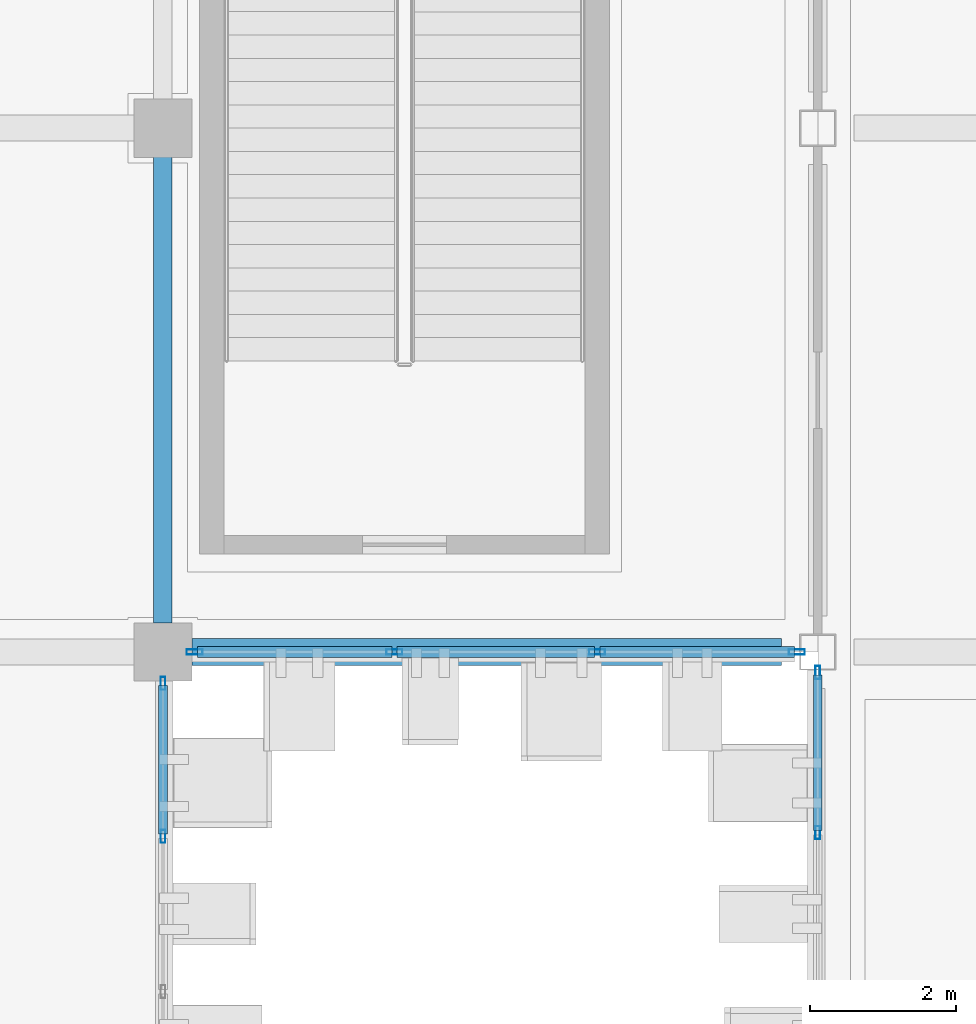
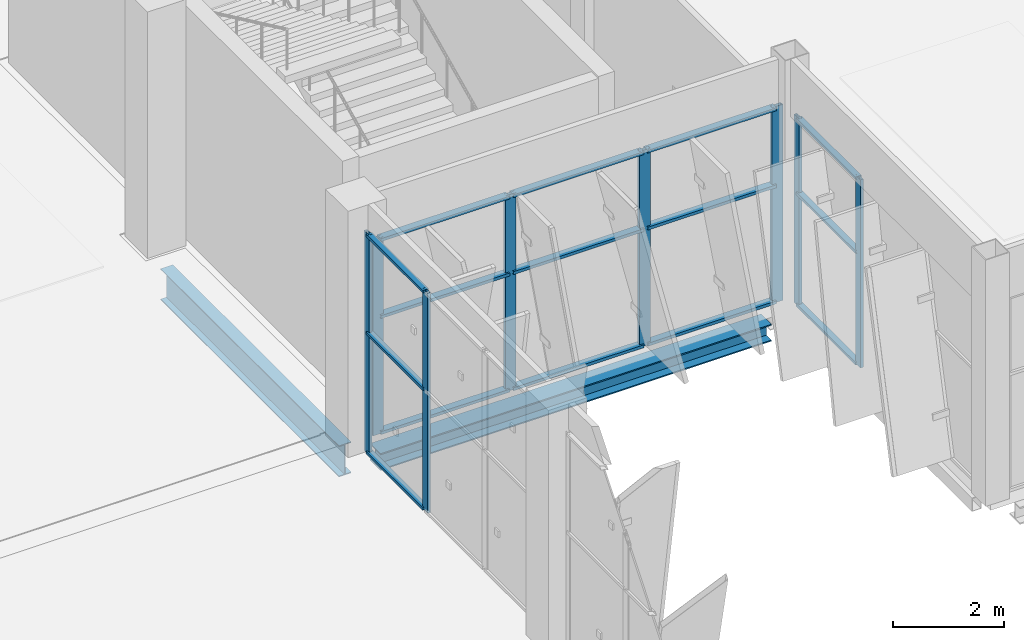
# One storey, part 63 of 137: 23 members, 2 beams, 3 elements without a shape of their own.
"""IFC4 building model written with IfcOpenShell, lengths in metres."""

import ifcopenshell
import ifcopenshell.guid

model = None  # the IFC model being written
_history = None  # IfcOwnerHistory: only IFC2X3 demands one
_inside = {}  # id of a spatial element -> (the spatial element, [elements in it])
_under = {}  # id of a project, library or spatial element -> (it, [spatial elements below it])
_declared = {}  # id of a project -> (the project, [libraries it declares])
_typed = {}  # id of a type object -> (the type object, [elements of that type])
_made_of = {}  # id of a material, layer set ... -> (it, [elements and type objects made of it])


def new_model(schema):
    """Start an empty IFC model of exactly this schema.

    Asked for "IFC4X3", IfcOpenShell would pick the latest addendum, in which some entities
    have other attributes; the version numbers below select the first issue.
    IFC2X3 requires an IfcOwnerHistory on every rooted entity: one is made here for all.
    """
    global model, _history
    if schema == "IFC4X3":
        model = ifcopenshell.file(schema_version=(4, 3, 0, 0))
    else:
        model = ifcopenshell.file(schema=schema)
    _inside.clear()
    _under.clear()
    _declared.clear()
    _typed.clear()
    _made_of.clear()
    _history = None
    if model.schema == "IFC2X3":
        org = make("IfcOrganization", Name="unknown")
        user = make(
            "IfcPersonAndOrganization",
            ThePerson=make("IfcPerson", FamilyName="unknown"),
            TheOrganization=org,
        )
        app = make(
            "IfcApplication",
            ApplicationDeveloper=org,
            Version="unknown",
            ApplicationFullName="unknown",
            ApplicationIdentifier="unknown",
        )
        _history = make(
            "IfcOwnerHistory",
            OwningUser=user,
            OwningApplication=app,
            ChangeAction="ADDED",
            CreationDate=0,
        )
    return model


def make(cls, **values):
    """One entity of the class cls with the attributes given. An attribute that is None is left unset."""
    return model.create_entity(
        cls, **{name: value for name, value in values.items() if value is not None}
    )


def rooted(cls, **values):
    """An entity with a GlobalId (a new one), such as an element, a storey or a relation."""
    return make(cls, GlobalId=ifcopenshell.guid.new(), OwnerHistory=_history, **values)


def si_unit(unit_type, name, prefix=None):
    """IfcSIUnit, for example si_unit("LENGTHUNIT", "METRE", prefix="MILLI")."""
    return make("IfcSIUnit", UnitType=unit_type, Prefix=prefix, Name=name)


def assignment(units):
    """IfcUnitAssignment: the units of a project."""
    return None if units is None else make("IfcUnitAssignment", Units=units)


def point(xyz):
    """IfcCartesianPoint."""
    return None if xyz is None else make("IfcCartesianPoint", Coordinates=xyz)


def direction(xyz):
    """IfcDirection."""
    return None if xyz is None else make("IfcDirection", DirectionRatios=xyz)


def frame(location, z_axis=None, x_axis=None):
    """IfcAxis2Placement3D, a coordinate frame: its origin and axes. An axis left out is left unset."""
    return make(
        "IfcAxis2Placement3D",
        Location=point(location),
        Axis=direction(z_axis),
        RefDirection=direction(x_axis),
    )


def frame_2d(location, x_axis=None):
    """IfcAxis2Placement2D, a coordinate frame in the plane: its origin and x axis."""
    return make(
        "IfcAxis2Placement2D", Location=point(location), RefDirection=direction(x_axis)
    )


def origin():
    """The frame at (0, 0, 0) with its axes left unset."""
    return frame((0.0, 0.0, 0.0))


def origin_2d():
    """The frame at (0, 0) in the plane with its x axis left unset."""
    return frame_2d((0.0, 0.0))


def place(relative_to, where):
    """IfcLocalPlacement: puts the frame where relative to a parent placement (None: the world)."""
    return make(
        "IfcLocalPlacement", PlacementRelTo=relative_to, RelativePlacement=where
    )


def context(
    kind, dimensions, precision=None, world=None, true_north=None, identifier=None
):
    """IfcGeometricRepresentationContext, for example the 3D "Model" context."""
    return make(
        "IfcGeometricRepresentationContext",
        ContextIdentifier=identifier,
        ContextType=kind,
        CoordinateSpaceDimension=dimensions,
        Precision=precision,
        WorldCoordinateSystem=world,
        TrueNorth=true_north,
    )


def subcontext(parent, identifier, kind, view, scale=None):
    """IfcGeometricRepresentationSubContext, for example "Body" below "Model"."""
    return make(
        "IfcGeometricRepresentationSubContext",
        ContextIdentifier=identifier,
        ContextType=kind,
        ParentContext=parent,
        TargetScale=scale,
        TargetView=view,
    )


def project(units=None, contexts=None):
    """IfcProject with its units and contexts."""
    return rooted(
        "IfcProject",
        Name="project",
        RepresentationContexts=contexts,
        UnitsInContext=assignment(units),
    )


def spatial(cls, under=None, at=None, **own):
    """A site, building, storey or space (cls), placed at a placement, below another one or the project."""
    s = rooted(cls, ObjectPlacement=at, **own)
    if under is not None:
        _under.setdefault(under.id(), (under, []))[1].append(s)
    return s


def profile(cls, at=None, kind="AREA", **sizes):
    """A parametric profile (cls). Its sizes go by their IFC names, for example OverallWidth=200.0."""
    return make(cls, ProfileType=kind, Position=at, **sizes)


def hollow_rectangle(**sizes):
    """IfcRectangleHollowProfileDef."""
    return profile("IfcRectangleHollowProfileDef", **sizes)


def i_section(**sizes):
    """IfcIShapeProfileDef."""
    return profile("IfcIShapeProfileDef", **sizes)


def extrude(swept, where, along, depth):
    """IfcExtrudedAreaSolid: the profile swept, set in the frame where, extruded along a direction by depth."""
    return make(
        "IfcExtrudedAreaSolid",
        SweptArea=swept,
        Position=where,
        ExtrudedDirection=direction(along),
        Depth=depth,
    )


def shape(context_of_items, identifier, shape_type, items):
    """IfcShapeRepresentation: the items that make up one representation, for example the "Body"."""
    return make(
        "IfcShapeRepresentation",
        ContextOfItems=context_of_items,
        RepresentationIdentifier=identifier,
        RepresentationType=shape_type,
        Items=items,
    )


def material(Name=None, Category=None):
    """IfcMaterial."""
    return make("IfcMaterial", Name=Name, Category=Category)


def layer(
    of_material, thickness, ventilated=None, Name=None, Category=None, Priority=None
):
    """IfcMaterialLayer: one layer of a wall or slab, of a material (None: an air gap)."""
    return make(
        "IfcMaterialLayer",
        Material=of_material,
        LayerThickness=thickness,
        IsVentilated=ventilated,
        Name=Name,
        Category=Category,
        Priority=Priority,
    )


def layer_set(layers, Name=None):
    """IfcMaterialLayerSet."""
    return make("IfcMaterialLayerSet", MaterialLayers=layers, LayerSetName=Name)


def material_profile(
    of_material, cross_section, Name=None, Category=None, Priority=None
):
    """IfcMaterialProfile: a cross section and its material."""
    return make(
        "IfcMaterialProfile",
        Name=Name,
        Material=of_material,
        Profile=cross_section,
        Priority=Priority,
        Category=Category,
    )


def profile_set(profiles, Name=None, composite=None):
    """IfcMaterialProfileSet."""
    return make(
        "IfcMaterialProfileSet",
        Name=Name,
        MaterialProfiles=profiles,
        CompositeProfile=composite,
    )


def made_of(thing, what):
    """Note that an element or type object is made of a material, layer set ...; save() writes the relation."""
    if what is not None:
        _made_of.setdefault(what.id(), (what, []))[1].append(thing)
    return thing


def type_object(cls, material=None, **own):
    """A type object (cls), such as IfcWallType, which elements share."""
    return made_of(rooted(cls, **own), material)


def element(
    cls,
    number,
    at=None,
    inside=None,
    cuts=None,
    type_object=None,
    material=None,
    context=None,
    identifier="Body",
    shape_type=None,
    held_by="IfcProductDefinitionShape",
    body=None,
    shapes=None,
    **own,
):
    """One element of the class cls, such as IfcWall. Its Tag is "e" and its number.

    at: its placement. inside: the storey or other place that contains it. cuts: it is an
    opening in that element (IfcRelVoidsElement). A single representation is given by context,
    identifier, shape_type and body (its items); several are given by shapes. held_by: the class
    of the entity that holds the representations. save() writes the other relations.
    """
    e = rooted(cls, Tag="e%d" % number, ObjectPlacement=at, **own)
    if body is not None:
        shapes = [shape(context, identifier, shape_type, body)]
    if shapes is not None:
        e.Representation = make(held_by, Representations=shapes)
    if inside is not None:
        _inside.setdefault(inside.id(), (inside, []))[1].append(e)
    if cuts is not None:
        rooted(
            "IfcRelVoidsElement", RelatingBuildingElement=cuts, RelatedOpeningElement=e
        )
    if type_object is not None:
        _typed.setdefault(type_object.id(), (type_object, []))[1].append(e)
    return made_of(e, material)


def aggregate(whole, parts):
    """IfcRelAggregates: a whole, such as a stair, and the parts it consists of."""
    return rooted("IfcRelAggregates", RelatingObject=whole, RelatedObjects=parts)


def save(model, path):
    """Write the relations noted so far, then the file.

    IfcRelAggregates (storeys below a building ...), IfcRelContainedInSpatialStructure (elements
    in a storey), IfcRelDefinesByType, IfcRelAssociatesMaterial and IfcRelDeclares: one each for
    every whole, place, type object, material and project.
    """
    for whole, parts in _under.values():
        aggregate(whole, parts)
    for where, things in _inside.values():
        rooted(
            "IfcRelContainedInSpatialStructure",
            RelatedElements=things,
            RelatingStructure=where,
        )
    for kind, things in _typed.values():
        rooted("IfcRelDefinesByType", RelatedObjects=things, RelatingType=kind)
    for what, things in _made_of.values():
        rooted("IfcRelAssociatesMaterial", RelatedObjects=things, RelatingMaterial=what)
    for by, libraries in _declared.values():
        rooted("IfcRelDeclares", RelatingContext=by, RelatedDefinitions=libraries)
    model.write(path)


model = new_model("IFC4")

# Units and contexts
model_context = context("Model", 3, precision=1e-05, world=origin(), true_north=direction((0.0, 1.0)))
body_context = subcontext(model_context, "Body", "Model", "MODEL_VIEW")
ifc_project = project(units=[si_unit("LENGTHUNIT", "METRE"), si_unit("AREAUNIT", "SQUARE_METRE"), si_unit("VOLUMEUNIT", "CUBIC_METRE"), si_unit("PLANEANGLEUNIT", "RADIAN"), si_unit("MASSUNIT", "GRAM", prefix="KILO")], contexts=[model_context])

# Site, building, storey
site_placement = place(None, origin())
site = spatial("IfcSite", under=ifc_project, at=site_placement, CompositionType="ELEMENT")
building_placement = place(site_placement, origin())
building = spatial("IfcBuilding", under=site, at=building_placement, Name="Celestram Park Convention Centre", CompositionType="ELEMENT")
storey_placement = place(building_placement, origin())
storey = spatial("IfcBuildingStorey", under=building, at=storey_placement, Name="L00", CompositionType="ELEMENT", Elevation=0.0)

# Curtain wall, members
ifc_material_1 = material(Name="Anodised Aluminium Alloy 6063-T6", Category="aluminium")
ifc_layer_1 = layer(ifc_material_1, 0.179931640625)
ifc_layer_set_1 = layer_set([ifc_layer_1], Name="Anodised Aluminium Alloy 6063-T6")
curtain_wall_type_1 = type_object("IfcCurtainWallType", Name="ARC-CW-670X412", PredefinedType="NOTDEFINED", material=ifc_layer_set_1)
curtain_wall_1_placement = place(storey_placement, origin())
curtain_wall_1 = element("IfcCurtainWall", 1, at=curtain_wall_1_placement, inside=storey, type_object=curtain_wall_type_1, Name="Unitised curtain wall CU-L00-004", PredefinedType="NOTDEFINED")
ifc_material_profile_1 = material_profile(ifc_material_1, hollow_rectangle(XDim=0.06494140625, YDim=0.179931640625, WallThickness=0.00390625, at=origin_2d()), Name="ALU65X180X4")
ifc_profile_set_1 = profile_set([ifc_material_profile_1], Name="Anodised Aluminium Alloy 6063-T6")
member_type_1 = type_object("IfcMemberType", Name="ARC-CWM-150", PredefinedType="MULLION", material=ifc_profile_set_1)
member_1_placement = place(storey_placement, frame((153.0, 119.917236328125, 0.0), z_axis=(0.0, 0.0, 1.0), x_axis=(-1.0, 0.0, 0.0)))
member_1 = element("IfcMember", 2, at=member_1_placement, type_object=member_type_1, Name="CW-67X41 mullion 3", PredefinedType="MULLION", context=body_context, shape_type="SweptSolid", body=[
    extrude(hollow_rectangle(XDim=0.06494140625, YDim=0.179931640625, WallThickness=0.00390625, at=origin_2d()), origin(), (0.0, 0.0, 1.0), 4.1240234375),
])
member_2_placement = place(storey_placement, frame((153.0, 122.119384765625, 0.0), z_axis=(0.0, 0.0, 1.0), x_axis=(-1.0, 0.0, 0.0)))
member_2 = element("IfcMember", 3, at=member_2_placement, type_object=member_type_1, Name="CW-67X41 mullion 4", PredefinedType="MULLION", context=body_context, shape_type="SweptSolid", body=[
    extrude(hollow_rectangle(XDim=0.06494140625, YDim=0.179931640625, WallThickness=0.00390625, at=origin_2d()), origin(), (0.0, 0.0, 1.0), 4.1240234375),
])

ifc_layer_2 = layer(ifc_material_1, 0.179931640625)
ifc_layer_set_2 = layer_set([ifc_layer_2], Name="Anodised Aluminium Alloy 6063-T6")
curtain_wall_type_2 = type_object("IfcCurtainWallType", Name="ARC-CW-640X482", PredefinedType="NOTDEFINED", material=ifc_layer_set_2)
curtain_wall_2_placement = place(storey_placement, origin())
curtain_wall_2 = element("IfcCurtainWall", 4, at=curtain_wall_2_placement, inside=storey, type_object=curtain_wall_type_2, Name="Unitised curtain wall CU-L00-006", PredefinedType="NOTDEFINED")
member_3_placement = place(storey_placement, frame((144.0, 121.969482421875, 0.0), z_axis=(0.0, 0.0, 1.0), x_axis=(1.0, 0.0, 0.0)))
member_3 = element("IfcMember", 5, at=member_3_placement, type_object=member_type_1, Name="CW-64X48 mullion 1", PredefinedType="MULLION", context=body_context, shape_type="SweptSolid", body=[
    extrude(hollow_rectangle(XDim=0.06494140625, YDim=0.179931640625, WallThickness=0.00390625, at=origin_2d()), origin(), (0.0, 0.0, 1.0), 4.820068359375),
])
member_4_placement = place(storey_placement, frame((144.0, 119.867431640625, 0.0), z_axis=(0.0, 0.0, 1.0), x_axis=(1.0, 0.0, 0.0)))
member_4 = element("IfcMember", 6, at=member_4_placement, type_object=member_type_1, Name="CW-64X48 mullion 2", PredefinedType="MULLION", context=body_context, shape_type="SweptSolid", body=[
    extrude(hollow_rectangle(XDim=0.06494140625, YDim=0.179931640625, WallThickness=0.00390625, at=origin_2d()), origin(), (0.0, 0.0, 1.0), 4.820068359375),
])

ifc_layer_3 = layer(ifc_material_1, 0.179931640625)
ifc_layer_set_3 = layer_set([ifc_layer_3], Name="Anodised Aluminium Alloy 6063-T6")
curtain_wall_type_3 = type_object("IfcCurtainWallType", Name="ARC-CW-835X430", PredefinedType="NOTDEFINED", material=ifc_layer_set_3)
curtain_wall_3_placement = place(storey_placement, origin())
curtain_wall_3 = element("IfcCurtainWall", 7, at=curtain_wall_3_placement, inside=storey, type_object=curtain_wall_type_3, Name="Unitised curtain wall CU-L00-005", PredefinedType="NOTDEFINED")
ifc_material_profile_2 = material_profile(ifc_material_1, hollow_rectangle(XDim=0.074951171875, YDim=0.219970703125, WallThickness=0.00390625, at=origin_2d()), Name="ALU75X220X4")
ifc_profile_set_2 = profile_set([ifc_material_profile_2], Name="Anodised Aluminium Alloy 6063-T6")
member_type_2 = type_object("IfcMemberType", Name="ARC-CWM-180", PredefinedType="MULLION", material=ifc_profile_set_2)
member_5_placement = place(storey_placement, frame((152.714599609375, 122.39990234375, 0.0), z_axis=(0.0, 0.0, 1.0), x_axis=(0.0, -1.0, 0.0)))
member_5 = element("IfcMember", 8, at=member_5_placement, type_object=member_type_2, Name="CW-83X43 mullion 1", PredefinedType="MULLION", context=body_context, shape_type="SweptSolid", body=[
    extrude(hollow_rectangle(XDim=0.074951171875, YDim=0.219970703125, WallThickness=0.00390625, at=origin_2d()), origin(), (0.0, 0.0, 1.0), 4.297119140625),
])
member_6_placement = place(storey_placement, frame((149.96728515625, 122.39990234375, 0.0), z_axis=(0.0, 0.0, 1.0), x_axis=(0.0, -1.0, 0.0)))
member_6 = element("IfcMember", 9, at=member_6_placement, type_object=member_type_2, Name="CW-83X43 mullion 2", PredefinedType="MULLION", context=body_context, shape_type="SweptSolid", body=[
    extrude(hollow_rectangle(XDim=0.074951171875, YDim=0.219970703125, WallThickness=0.00390625, at=origin_2d()), origin(), (0.0, 0.0, 1.0), 4.297119140625),
])
member_7_placement = place(storey_placement, frame((147.1826171875, 122.39990234375, 0.0), z_axis=(0.0, 0.0, 1.0), x_axis=(0.0, -1.0, 0.0)))
member_7 = element("IfcMember", 10, at=member_7_placement, type_object=member_type_2, Name="CW-83X43 mullion 3", PredefinedType="MULLION", context=body_context, shape_type="SweptSolid", body=[
    extrude(hollow_rectangle(XDim=0.074951171875, YDim=0.219970703125, WallThickness=0.00390625, at=origin_2d()), origin(), (0.0, 0.0, 1.0), 4.297119140625),
])
member_8_placement = place(storey_placement, frame((144.435546875, 122.39990234375, 0.0), z_axis=(0.0, 0.0, 1.0), x_axis=(0.0, -1.0, 0.0)))
member_8 = element("IfcMember", 11, at=member_8_placement, type_object=member_type_2, Name="CW-83X43 mullion 4", PredefinedType="MULLION", context=body_context, shape_type="SweptSolid", body=[
    extrude(hollow_rectangle(XDim=0.074951171875, YDim=0.219970703125, WallThickness=0.00390625, at=origin_2d()), origin(), (0.0, 0.0, 1.0), 4.297119140625),
])

# Member
ifc_material_profile_3 = material_profile(ifc_material_1, hollow_rectangle(XDim=0.1201171875, YDim=0.06005859375, WallThickness=0.0029296875, at=origin_2d()), Name="ALU120X60X3")
ifc_profile_set_3 = profile_set([ifc_material_profile_3], Name="Anodised Aluminium Alloy 6063-T6")
member_type_3 = type_object("IfcMemberType", Name="ARC-CWT-120", PredefinedType="USERDEFINED", material=ifc_profile_set_3)
member_9_placement = place(storey_placement, frame((153.0, 119.949951171875, 0.030029296875), z_axis=(0.0, 1.0, 0.0), x_axis=(-1.0, 0.0, 0.0)))
member_9 = element("IfcMember", 12, at=member_9_placement, type_object=member_type_3, Name="CW-67X41 transom 3.1", ObjectType="TRANSOM", PredefinedType="USERDEFINED", context=body_context, shape_type="SweptSolid", body=[
    extrude(hollow_rectangle(XDim=0.1201171875, YDim=0.06005859375, WallThickness=0.0029296875, at=origin_2d()), origin(), (0.0, 0.0, 1.0), 2.136962890625),
])

member_10_placement = place(storey_placement, frame((153.0, 119.949951171875, 2.47412109375), z_axis=(0.0, 1.0, 0.0), x_axis=(-1.0, 0.0, 0.0)))
member_10 = element("IfcMember", 13, at=member_10_placement, type_object=member_type_3, Name="CW-67X41 transom 3.2", ObjectType="TRANSOM", PredefinedType="USERDEFINED", context=body_context, shape_type="SweptSolid", body=[
    extrude(hollow_rectangle(XDim=0.1201171875, YDim=0.06005859375, WallThickness=0.0029296875, at=origin_2d()), origin(), (0.0, 0.0, 1.0), 2.136962890625),
])

member_11_placement = place(storey_placement, frame((153.0, 119.949951171875, 4.093994140625), z_axis=(0.0, 1.0, 0.0), x_axis=(-1.0, 0.0, 0.0)))
member_11 = element("IfcMember", 14, at=member_11_placement, type_object=member_type_3, Name="CW-67X41 transom 3.3", ObjectType="TRANSOM", PredefinedType="USERDEFINED", context=body_context, shape_type="SweptSolid", body=[
    extrude(hollow_rectangle(XDim=0.1201171875, YDim=0.06005859375, WallThickness=0.0029296875, at=origin_2d()), origin(), (0.0, 0.0, 1.0), 2.136962890625),
])

aggregate(curtain_wall_1, [member_1, member_2, member_9, member_10, member_11])

member_12_placement = place(storey_placement, frame((144.0, 121.93701171875, 0.030029296875), z_axis=(0.0, -1.0, 0.0), x_axis=(1.0, 0.0, 0.0)))
member_12 = element("IfcMember", 15, at=member_12_placement, type_object=member_type_3, Name="CW-64X48 transom 1.1", ObjectType="TRANSOM", PredefinedType="USERDEFINED", context=body_context, shape_type="SweptSolid", body=[
    extrude(hollow_rectangle(XDim=0.1201171875, YDim=0.06005859375, WallThickness=0.0029296875, at=origin_2d()), origin(), (0.0, 0.0, 1.0), 2.037109375),
])

member_13_placement = place(storey_placement, frame((144.0, 121.93701171875, 2.64990234375), z_axis=(0.0, -1.0, 0.0), x_axis=(1.0, 0.0, 0.0)))
member_13 = element("IfcMember", 16, at=member_13_placement, type_object=member_type_3, Name="CW-64X48 transom 1.2", ObjectType="TRANSOM", PredefinedType="USERDEFINED", context=body_context, shape_type="SweptSolid", body=[
    extrude(hollow_rectangle(XDim=0.1201171875, YDim=0.06005859375, WallThickness=0.0029296875, at=origin_2d()), origin(), (0.0, 0.0, 1.0), 2.037109375),
])

member_14_placement = place(storey_placement, frame((144.0, 121.93701171875, 4.7900390625), z_axis=(0.0, -1.0, 0.0), x_axis=(1.0, 0.0, 0.0)))
member_14 = element("IfcMember", 17, at=member_14_placement, type_object=member_type_3, Name="CW-64X48 transom 1.3", ObjectType="TRANSOM", PredefinedType="USERDEFINED", context=body_context, shape_type="SweptSolid", body=[
    extrude(hollow_rectangle(XDim=0.1201171875, YDim=0.06005859375, WallThickness=0.0029296875, at=origin_2d()), origin(), (0.0, 0.0, 1.0), 2.037109375),
])

aggregate(curtain_wall_2, [member_3, member_4, member_12, member_13, member_14])

ifc_material_profile_4 = material_profile(ifc_material_1, hollow_rectangle(XDim=0.14990234375, YDim=0.06494140625, WallThickness=0.0029296875, at=origin_2d()), Name="ALU150X65X3")
ifc_profile_set_4 = profile_set([ifc_material_profile_4], Name="Anodised Aluminium Alloy 6063-T6")
member_type_4 = type_object("IfcMemberType", Name="ARC-CWT-150", PredefinedType="USERDEFINED", material=ifc_profile_set_4)
member_15_placement = place(storey_placement, frame((152.677001953125, 122.39990234375, 0.032470703125), z_axis=(-1.0, 0.0, 0.0), x_axis=(0.0, -1.0, 0.0)))
member_15 = element("IfcMember", 18, at=member_15_placement, type_object=member_type_4, Name="CW-83X43 transom 1.1", ObjectType="TRANSOM", PredefinedType="USERDEFINED", context=body_context, shape_type="SweptSolid", body=[
    extrude(hollow_rectangle(XDim=0.14990234375, YDim=0.06494140625, WallThickness=0.0029296875, at=origin_2d()), origin(), (0.0, 0.0, 1.0), 2.672119140625),
])

member_16_placement = place(storey_placement, frame((152.677001953125, 122.39990234375, 2.577880859375), z_axis=(-1.0, 0.0, 0.0), x_axis=(0.0, -1.0, 0.0)))
member_16 = element("IfcMember", 19, at=member_16_placement, type_object=member_type_4, Name="CW-83X43 transom 1.2", ObjectType="TRANSOM", PredefinedType="USERDEFINED", context=body_context, shape_type="SweptSolid", body=[
    extrude(hollow_rectangle(XDim=0.14990234375, YDim=0.06494140625, WallThickness=0.0029296875, at=origin_2d()), origin(), (0.0, 0.0, 1.0), 2.672119140625),
])

member_17_placement = place(storey_placement, frame((152.677001953125, 122.39990234375, 4.264404296875), z_axis=(-1.0, 0.0, 0.0), x_axis=(0.0, -1.0, 0.0)))
member_17 = element("IfcMember", 20, at=member_17_placement, type_object=member_type_4, Name="CW-83X43 transom 1.3", ObjectType="TRANSOM", PredefinedType="USERDEFINED", context=body_context, shape_type="SweptSolid", body=[
    extrude(hollow_rectangle(XDim=0.14990234375, YDim=0.06494140625, WallThickness=0.0029296875, at=origin_2d()), origin(), (0.0, 0.0, 1.0), 2.672119140625),
])

member_18_placement = place(storey_placement, frame((149.929931640625, 122.39990234375, 0.032470703125), z_axis=(-1.0, 0.0, 0.0), x_axis=(0.0, -1.0, 0.0)))
member_18 = element("IfcMember", 21, at=member_18_placement, type_object=member_type_4, Name="CW-83X43 transom 2.1", ObjectType="TRANSOM", PredefinedType="USERDEFINED", context=body_context, shape_type="SweptSolid", body=[
    extrude(hollow_rectangle(XDim=0.14990234375, YDim=0.06494140625, WallThickness=0.0029296875, at=origin_2d()), origin(), (0.0, 0.0, 1.0), 2.709716796875),
])

member_19_placement = place(storey_placement, frame((149.929931640625, 122.39990234375, 2.577880859375), z_axis=(-1.0, 0.0, 0.0), x_axis=(0.0, -1.0, 0.0)))
member_19 = element("IfcMember", 22, at=member_19_placement, type_object=member_type_4, Name="CW-83X43 transom 2.2", ObjectType="TRANSOM", PredefinedType="USERDEFINED", context=body_context, shape_type="SweptSolid", body=[
    extrude(hollow_rectangle(XDim=0.14990234375, YDim=0.06494140625, WallThickness=0.0029296875, at=origin_2d()), origin(), (0.0, 0.0, 1.0), 2.709716796875),
])

member_20_placement = place(storey_placement, frame((149.929931640625, 122.39990234375, 4.264404296875), z_axis=(-1.0, 0.0, 0.0), x_axis=(0.0, -1.0, 0.0)))
member_20 = element("IfcMember", 23, at=member_20_placement, type_object=member_type_4, Name="CW-83X43 transom 2.3", ObjectType="TRANSOM", PredefinedType="USERDEFINED", context=body_context, shape_type="SweptSolid", body=[
    extrude(hollow_rectangle(XDim=0.14990234375, YDim=0.06494140625, WallThickness=0.0029296875, at=origin_2d()), origin(), (0.0, 0.0, 1.0), 2.709716796875),
])

member_21_placement = place(storey_placement, frame((147.145263671875, 122.39990234375, 0.032470703125), z_axis=(-1.0, 0.0, 0.0), x_axis=(0.0, -1.0, 0.0)))
member_21 = element("IfcMember", 24, at=member_21_placement, type_object=member_type_4, Name="CW-83X43 transom 3.1", ObjectType="TRANSOM", PredefinedType="USERDEFINED", context=body_context, shape_type="SweptSolid", body=[
    extrude(hollow_rectangle(XDim=0.14990234375, YDim=0.06494140625, WallThickness=0.0029296875, at=origin_2d()), origin(), (0.0, 0.0, 1.0), 2.67236328125),
])

member_22_placement = place(storey_placement, frame((147.145263671875, 122.39990234375, 2.577880859375), z_axis=(-1.0, 0.0, 0.0), x_axis=(0.0, -1.0, 0.0)))
member_22 = element("IfcMember", 25, at=member_22_placement, type_object=member_type_4, Name="CW-83X43 transom 3.2", ObjectType="TRANSOM", PredefinedType="USERDEFINED", context=body_context, shape_type="SweptSolid", body=[
    extrude(hollow_rectangle(XDim=0.14990234375, YDim=0.06494140625, WallThickness=0.0029296875, at=origin_2d()), origin(), (0.0, 0.0, 1.0), 2.67236328125),
])

member_23_placement = place(storey_placement, frame((147.145263671875, 122.39990234375, 4.264404296875), z_axis=(-1.0, 0.0, 0.0), x_axis=(0.0, -1.0, 0.0)))
member_23 = element("IfcMember", 26, at=member_23_placement, type_object=member_type_4, Name="CW-83X43 transom 3.3", ObjectType="TRANSOM", PredefinedType="USERDEFINED", context=body_context, shape_type="SweptSolid", body=[
    extrude(hollow_rectangle(XDim=0.14990234375, YDim=0.06494140625, WallThickness=0.0029296875, at=origin_2d()), origin(), (0.0, 0.0, 1.0), 2.67236328125),
])

aggregate(curtain_wall_3, [member_5, member_6, member_7, member_8, member_15, member_16, member_17, member_18, member_19, member_20, member_21, member_22, member_23])

# Beams
ifc_material_2 = material(Name="Steel ASTM A992 Grade 50", Category="steel")
ifc_material_profile_5 = material_profile(ifc_material_2, i_section(OverallWidth=0.25390625, OverallDepth=0.68310546875, WebThickness=0.012451171875, FlangeThickness=0.01904296875, at=origin_2d()), Name="W27X94")
ifc_profile_set_5 = profile_set([ifc_material_profile_5], Name="Steel ASTM A992 Grade 50")
beam_type_1 = type_object("IfcBeamType", Name="STR-BM-W27X94", PredefinedType="BEAM", material=ifc_profile_set_5)
beam_1_placement = place(storey_placement, frame((144.0, 122.798095703125, -0.66162109375), z_axis=(0.0, 1.0, 0.0), x_axis=(-1.0, 0.0, 0.0)))
element("IfcBeam", 27, at=beam_1_placement, inside=storey, type_object=beam_type_1, Name="Primary Y-girder BG-L00-0683", PredefinedType="BEAM", context=body_context, shape_type="SweptSolid", body=[
    extrude(i_section(OverallWidth=0.25390625, OverallDepth=0.68310546875, WebThickness=0.012451171875, FlangeThickness=0.01904296875, at=origin_2d()), origin(), (0.0, 0.0, 1.0), 6.40380859375),
])
ifc_material_profile_6 = material_profile(ifc_material_2, i_section(OverallWidth=0.373046875, OverallDepth=0.373046875, WebThickness=0.016357421875, FlangeThickness=0.026123046875, at=origin_2d()), Name="W14X132")
ifc_profile_set_6 = profile_set([ifc_material_profile_6], Name="Steel ASTM A992 Grade 50")
beam_type_2 = type_object("IfcBeamType", Name="STR-SPN-W14X132", PredefinedType="SPANDREL", material=ifc_profile_set_6)
beam_2_placement = place(storey_placement, frame((144.39794921875, 122.39990234375, -0.506591796875), z_axis=(1.0, 0.0, 0.0), x_axis=(0.0, 1.0, 0.0)))
element("IfcBeam", 28, at=beam_2_placement, inside=storey, type_object=beam_type_2, Name="Primary X-girder BG-L00-0682", PredefinedType="SPANDREL", context=body_context, shape_type="SweptSolid", body=[
    extrude(i_section(OverallWidth=0.373046875, OverallDepth=0.373046875, WebThickness=0.016357421875, FlangeThickness=0.026123046875, at=origin_2d()), origin(), (0.0, 0.0, 1.0), 8.10400390625),
])

save(model, "model.ifc")
